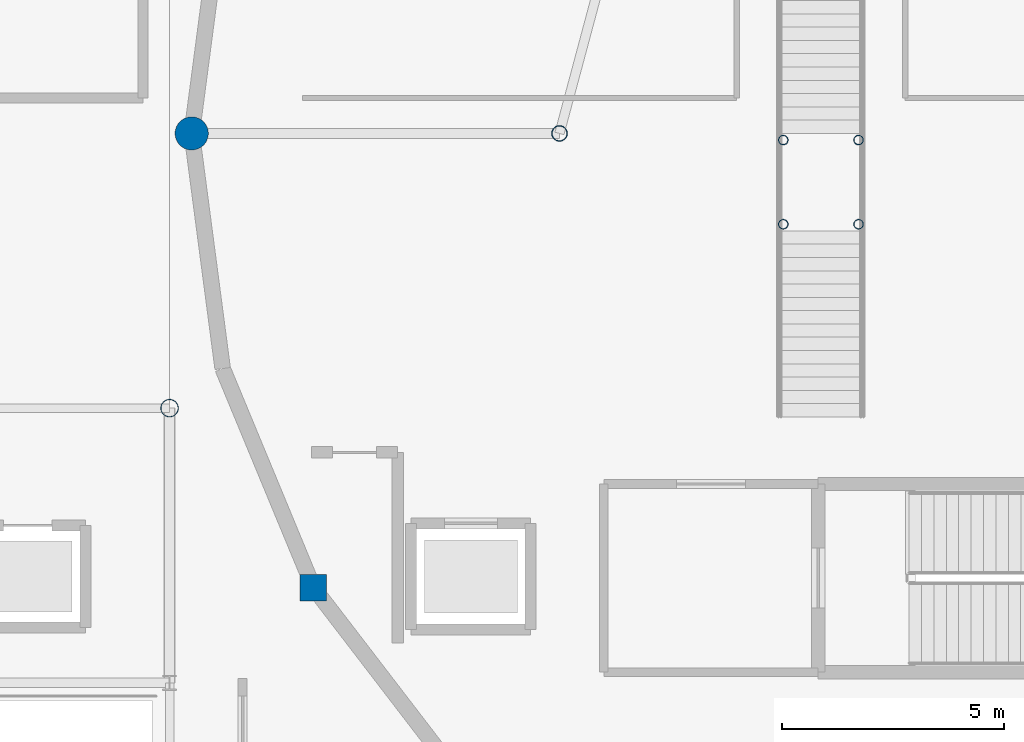
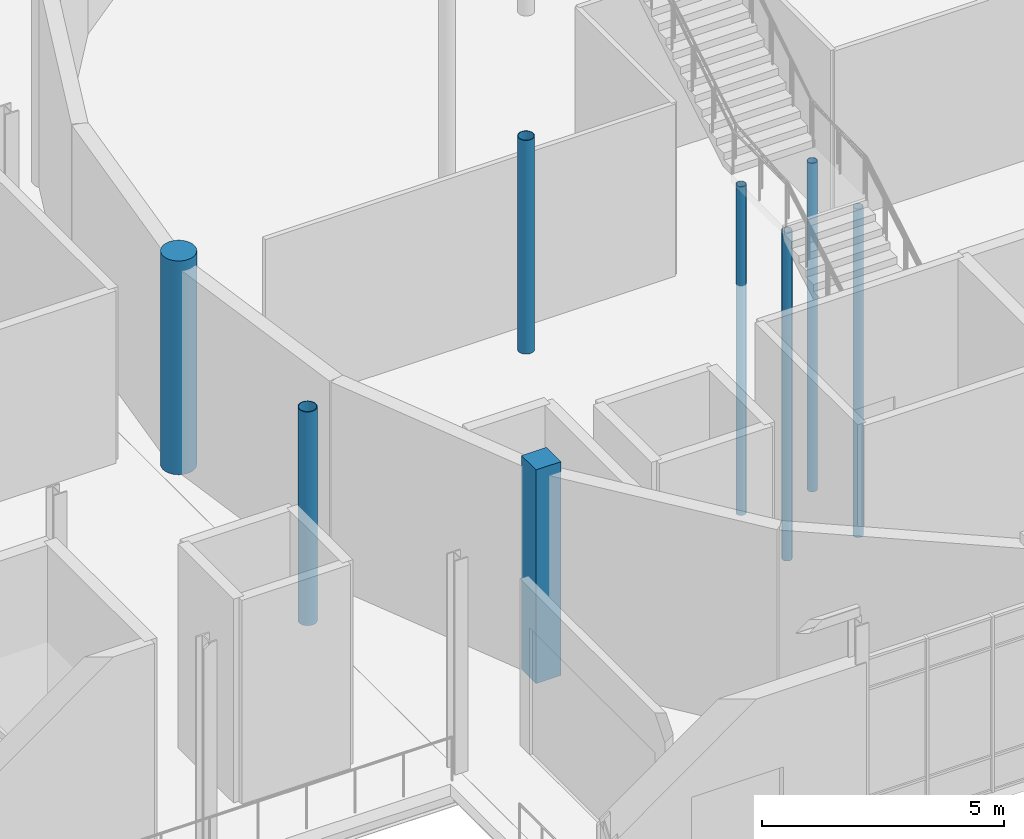
# One storey, part 11 of 98: 8 columns.
"""IFC4 building model written with IfcOpenShell, lengths in metres."""

from ifc_helpers import new_model, si_unit, direction, frame, origin, origin_2d, place, context, subcontext, project, spatial, rectangle, circle, hollow_circle, extrude, material, material_profile, profile_set, type_object, element, save


model = new_model("IFC4")

# Units and contexts
model_context = context("Model", 3, precision=1e-05, world=origin(), true_north=direction((0.0, 1.0)))
body_context = subcontext(model_context, "Body", "Model", "MODEL_VIEW")
ifc_project = project(units=[si_unit("LENGTHUNIT", "METRE"), si_unit("AREAUNIT", "SQUARE_METRE"), si_unit("VOLUMEUNIT", "CUBIC_METRE"), si_unit("PLANEANGLEUNIT", "RADIAN"), si_unit("MASSUNIT", "GRAM", prefix="KILO")], contexts=[model_context])

# Site, building, storey
site_placement = place(None, origin())
site = spatial("IfcSite", under=ifc_project, at=site_placement, CompositionType="ELEMENT")
building_placement = place(site_placement, origin())
building = spatial("IfcBuilding", under=site, at=building_placement, Name="Mirzam Square Science Centre", CompositionType="ELEMENT")
storey_placement = place(building_placement, origin())
storey = spatial("IfcBuildingStorey", under=building, at=storey_placement, Name="L00", CompositionType="ELEMENT", Elevation=0.0)

# Columns
ifc_material_1 = material(Name="Steel S355", Category="steel")
ifc_material_profile_1 = material_profile(ifc_material_1, hollow_circle(Radius=0.109619140625, WallThickness=0.010009765625, at=origin_2d()), Name="219.1x10.0CHS")
ifc_profile_set_1 = profile_set([ifc_material_profile_1], Name="Steel S355")
column_type_1 = type_object("IfcColumnType", Name="COL-CHS219", PredefinedType="COLUMN", material=ifc_profile_set_1)
for number, where, z_axis, x_axis, name in (
    (1, (73.85009765625, 59.949951171875, -5.800048828125), (0.0, 0.0, 1.0), (1.0, 0.0, 0.0), "ST-07 landing support post 1"),
    (2, (75.550048828125, 59.949951171875, -5.800048828125), (0.0, 0.0, 1.0), (1.0, 0.0, 0.0), "ST-07 landing support post 2"),
    (3, (73.85009765625, 61.85009765625, -5.800048828125), (0.0, 0.0, 1.0), (1.0, 0.0, 0.0), "ST-07 landing support post 3"),
    (4, (75.550048828125, 61.85009765625, -5.800048828125), (0.0, 0.0, 1.0), (1.0, 0.0, 0.0), "ST-07 landing support post 4"),
):
    element("IfcColumn", number, at=place(storey_placement, frame(where, z_axis=z_axis, x_axis=x_axis)), inside=storey, type_object=column_type_1, Name=name, PredefinedType="COLUMN", context=body_context, shape_type="SweptSolid", body=[
        extrude(hollow_circle(Radius=0.109619140625, WallThickness=0.010009765625, at=origin_2d()), origin(), (0.0, 0.0, 1.0), 8.300048828125),
    ])
ifc_material_profile_2 = material_profile(ifc_material_1, hollow_circle(Radius=0.177734375, WallThickness=0.012451171875, at=origin_2d()), Name="355.6x12.5CHS")
ifc_profile_set_2 = profile_set([ifc_material_profile_2], Name="Steel S355")
column_type_2 = type_object("IfcColumnType", Name="COL-CHS355", PredefinedType="COLUMN", material=ifc_profile_set_2)
column_1_placement = place(storey_placement, frame((68.800048828125, 62.0, 0.0), z_axis=(0.0, 0.0, 1.0), x_axis=(1.0, 0.0, 0.0)))
element("IfcColumn", 5, at=column_1_placement, inside=storey, type_object=column_type_2, Name="L00 inner drum column 07", PredefinedType="COLUMN", context=body_context, shape_type="SweptSolid", body=[
    extrude(hollow_circle(Radius=0.177734375, WallThickness=0.012451171875, at=origin_2d()), origin(), (0.0, 0.0, 1.0), 5.39990234375),
])
ifc_material_profile_3 = material_profile(ifc_material_1, hollow_circle(Radius=0.203125, WallThickness=0.01611328125, at=origin_2d()), Name="406.4x16.0CHS")
ifc_profile_set_3 = profile_set([ifc_material_profile_3], Name="Steel S355")
column_type_3 = type_object("IfcColumnType", Name="COL-CHS406", PredefinedType="COLUMN", material=ifc_profile_set_3)
column_2_placement = place(storey_placement, frame((60.0, 55.800048828125, 0.0), z_axis=(0.0, 0.0, 1.0), x_axis=(1.0, 0.0, 0.0)))
element("IfcColumn", 6, at=column_2_placement, inside=storey, type_object=column_type_3, Name="L00 column G11-10", PredefinedType="COLUMN", context=body_context, shape_type="SweptSolid", body=[
    extrude(hollow_circle(Radius=0.203125, WallThickness=0.01611328125, at=origin_2d()), origin(), (0.0, 0.0, 1.0), 5.39990234375),
])
ifc_material_2 = material(Name="Concrete C45/55", Category="concrete")
ifc_material_profile_4 = material_profile(ifc_material_2, rectangle(XDim=0.60009765625, YDim=0.60009765625, at=origin_2d()), Name="RC600x600")
ifc_profile_set_4 = profile_set([ifc_material_profile_4], Name="Concrete C45/55")
column_type_4 = type_object("IfcColumnType", Name="PIL-RC600", PredefinedType="PILASTER", material=ifc_profile_set_4)
column_3_placement = place(storey_placement, frame((63.24658203125, 51.75, 0.0), z_axis=(0.0, 0.0, 1.0), x_axis=(1.0, 0.0, 0.0)))
element("IfcColumn", 7, at=column_3_placement, inside=storey, type_object=column_type_4, Name="L00 drum pilaster 15", PredefinedType="PILASTER", context=body_context, shape_type="SweptSolid", body=[
    extrude(rectangle(XDim=0.60009765625, YDim=0.60009765625, at=origin_2d()), origin(), (0.0, 0.0, 1.0), 5.39990234375),
])
ifc_material_profile_5 = material_profile(ifc_material_2, circle(Radius=0.375, at=origin_2d()), Name="RCD750")
ifc_profile_set_5 = profile_set([ifc_material_profile_5], Name="Concrete C45/55")
column_type_5 = type_object("IfcColumnType", Name="PIL-RCD750", PredefinedType="PILASTER", material=ifc_profile_set_5)
column_4_placement = place(storey_placement, frame((60.5, 62.0, 0.0), z_axis=(0.0, 0.0, 1.0), x_axis=(1.0, 0.0, 0.0)))
element("IfcColumn", 8, at=column_4_placement, inside=storey, type_object=column_type_5, Name="L00 drum pilaster 13", PredefinedType="PILASTER", context=body_context, shape_type="SweptSolid", body=[
    extrude(circle(Radius=0.375, at=origin_2d()), origin(), (0.0, 0.0, 1.0), 5.39990234375),
])

save(model, "model.ifc")
